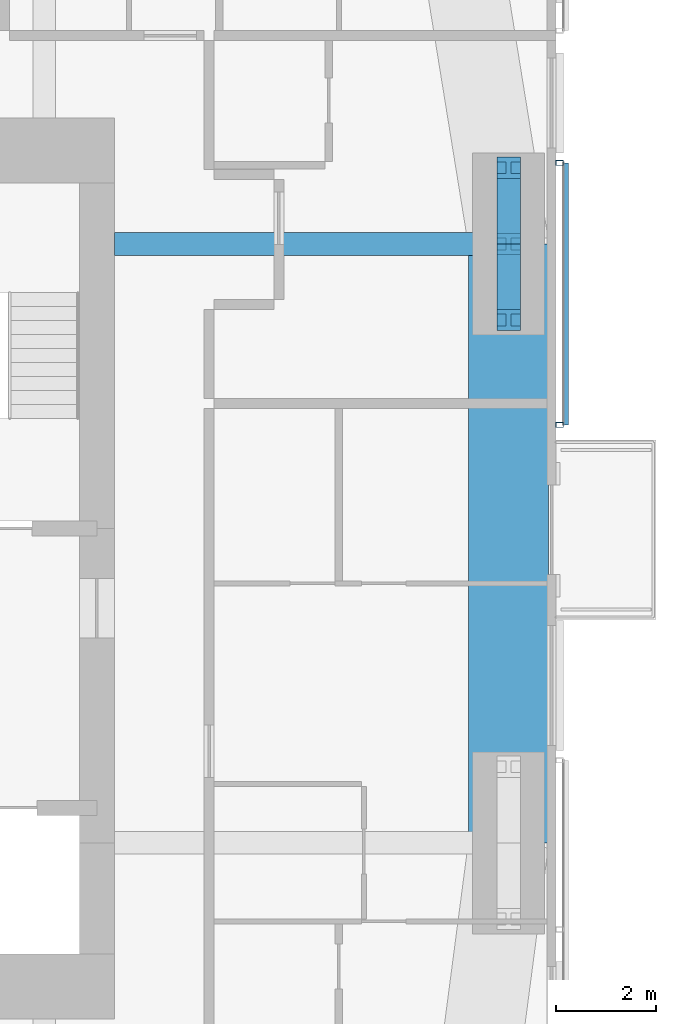
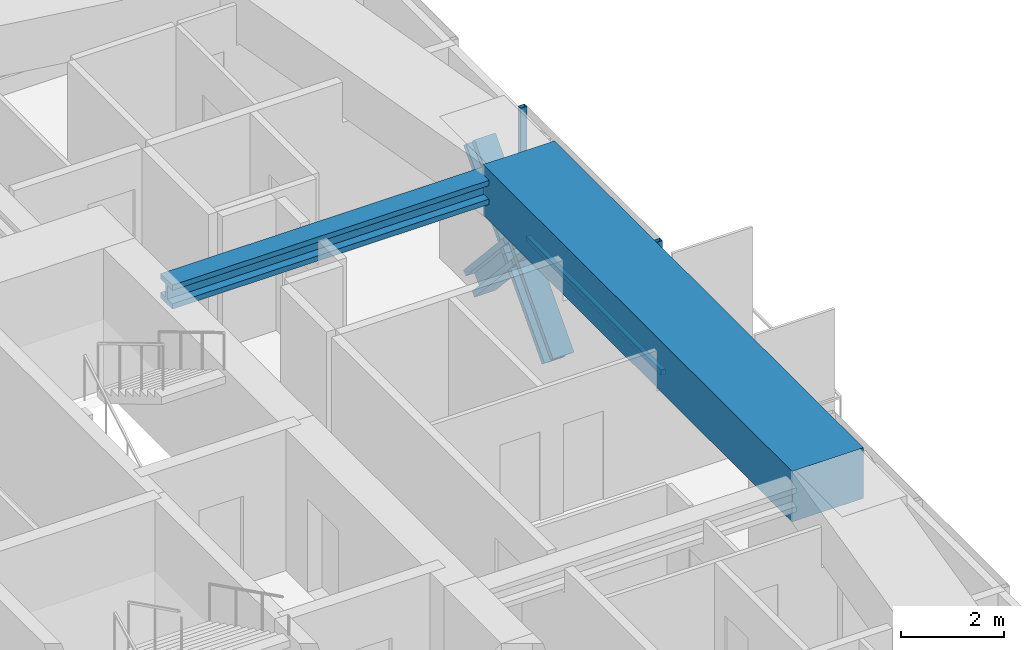
# One storey, part 9 of 23: 7 members, 2 beams, 1 element without a shape of its own.
"""IFC4 building model written with IfcOpenShell, lengths in metres."""

from ifc_helpers import new_model, si_unit, direction, frame, origin, origin_2d, place, context, subcontext, project, spatial, rectangle, hollow_rectangle, i_section, extrude, material, material_profile, profile_set, type_object, element, aggregate, save


model = new_model("IFC4")

# Units and contexts
model_context = context("Model", 3, precision=1e-05, world=origin(), true_north=direction((0.0, 1.0)))
body_context = subcontext(model_context, "Body", "Model", "MODEL_VIEW")
ifc_project = project(units=[si_unit("LENGTHUNIT", "METRE"), si_unit("AREAUNIT", "SQUARE_METRE"), si_unit("VOLUMEUNIT", "CUBIC_METRE"), si_unit("PLANEANGLEUNIT", "RADIAN"), si_unit("MASSUNIT", "GRAM", prefix="KILO")], contexts=[model_context])

# Site, building, storey
site_placement = place(None, origin())
site = spatial("IfcSite", under=ifc_project, at=site_placement, CompositionType="ELEMENT")
building_placement = place(site_placement, origin())
building = spatial("IfcBuilding", under=site, at=building_placement, Name="Jalousie Tower", CompositionType="ELEMENT")
storey_placement = place(building_placement, frame((0.0, 0.0, 191.199951171875)))
storey = spatial("IfcBuildingStorey", under=building, at=storey_placement, Name="L52", CompositionType="ELEMENT", Elevation=191.199951171875)

# Beam
ifc_material_1 = material(Name="Steel ASTM A992 Grade 50", Category="steel")
ifc_material_profile_1 = material_profile(ifc_material_1, i_section(OverallWidth=0.45458984375, OverallDepth=0.569091796875, WebThickness=0.077880859375, FlangeThickness=0.124755859375, at=origin_2d()), Name="W14X730")
ifc_profile_set_1 = profile_set([ifc_material_profile_1], Name="Steel ASTM A992 Grade 50")
beam_type_1 = type_object("IfcBeamType", Name="LEAN COLLECTOR W14X730", PredefinedType="BEAM", material=ifc_profile_set_1)
beam_1_placement = place(storey_placement, frame((52.050048828125, 25.0, 2.825439453125), z_axis=(-1.0, 0.0, 0.0), x_axis=(0.0, -1.0, 0.0)))
element("IfcBeam", 1, at=beam_1_placement, inside=storey, type_object=beam_type_1, Name="Lean collector under L53", PredefinedType="BEAM", context=body_context, shape_type="SweptSolid", body=[
    extrude(i_section(OverallWidth=0.45458984375, OverallDepth=0.569091796875, WebThickness=0.077880859375, FlangeThickness=0.124755859375, at=origin_2d()), origin(), (0.0, 0.0, 1.0), 7.900146484375),
])

# Members
ifc_material_2 = material(Name="Steel ASTM A992 Grade 50", Category="steel")
ifc_material_profile_2 = material_profile(ifc_material_2, i_section(OverallWidth=0.472412109375, OverallDepth=0.5791015625, WebThickness=0.094970703125, FlangeThickness=0.1298828125, at=origin_2d()), Name="W14X808")
ifc_profile_set_2 = profile_set([ifc_material_profile_2], Name="Steel ASTM A992 Grade 50")
member_type_1 = type_object("IfcMemberType", Name="PERIMETER BRACE W14X808", PredefinedType="BRACE", material=ifc_profile_set_2)
for number, where, z_axis, x_axis, name in (
    (2, (52.050048828125, 23.47509765625, -0.599853515625), (0.0, 0.673241284601, 0.739422864611), (-1.0, 0.0, 0.0), "Perimeter brace 07 L52 part 1"),
    (3, (52.050048828125, 25.0, 1.074951171875), (0.0, 0.673187629365, 0.739471713908), (-1.0, 0.0, 0.0), "Perimeter brace 07 L52 part 2"),
    (4, (52.050048828125, 26.52490234375, -0.599853515625), (0.0, -0.673241284601, 0.739422864611), (1.0, 0.0, 0.0), "Perimeter brace 07 L52 part 3"),
    (5, (52.050048828125, 25.0, 1.074951171875), (0.0, -0.673187629365, 0.739471713908), (1.0, 0.0, 0.0), "Perimeter brace 07 L52 part 4"),
):
    element("IfcMember", number, at=place(storey_placement, frame(where, z_axis=z_axis, x_axis=x_axis)), inside=storey, type_object=member_type_1, Name=name, PredefinedType="BRACE", context=body_context, shape_type="SweptSolid", body=[
        extrude(i_section(OverallWidth=0.472412109375, OverallDepth=0.5791015625, WebThickness=0.094970703125, FlangeThickness=0.1298828125, at=origin_2d()), origin(), (0.0, 0.0, 1.0), 2.26513671875),
    ])

# Beam
ifc_material_3 = material(Name="Concrete f'c 40 MPa", Category="concrete")
ifc_material_profile_3 = material_profile(ifc_material_3, rectangle(XDim=1.60009765625, YDim=1.199951171875, at=origin_2d()), Name="RC 1600x1200")
ifc_profile_set_3 = profile_set([ifc_material_profile_3], Name="Concrete f'c 40 MPa")
beam_type_2 = type_object("IfcBeamType", Name="RC BEAM 1600x1200", PredefinedType="BEAM", material=ifc_profile_set_3)
beam_2_placement = place(storey_placement, frame((52.050048828125, 13.0, 2.75), z_axis=(0.0, 1.0, 0.0), x_axis=(-1.0, 0.0, 0.0)))
element("IfcBeam", 6, at=beam_2_placement, inside=storey, type_object=beam_type_2, Name="Edge band beam 06-07 under L53", PredefinedType="BEAM", context=body_context, shape_type="SweptSolid", body=[
    extrude(rectangle(XDim=1.60009765625, YDim=1.199951171875, at=origin_2d()), origin(), (0.0, 0.0, 1.0), 12.0),
])

# Curtain wall, members
ifc_material_4 = material(Name="Perforated aluminium sheet", Category="aluminium")
curtain_wall_type = type_object("IfcCurtainWallType", Name="SOLAR SCREEN SS-1", PredefinedType="USERDEFINED", material=ifc_material_4)
curtain_wall_placement = place(storey_placement, origin())
curtain_wall = element("IfcCurtainWall", 7, at=curtain_wall_placement, inside=storey, type_object=curtain_wall_type, Name="Solar screen L52", ObjectType="SOLAR SCREEN SS-1", PredefinedType="USERDEFINED")
ifc_material_5 = material(Name="Steel ASTM A500 Grade C", Category="steel")
ifc_material_profile_4 = material_profile(ifc_material_5, hollow_rectangle(XDim=0.1015625, YDim=0.15234375, WallThickness=0.00634765625, at=origin_2d()), Name="HSS6X4X1/4")
ifc_profile_set_4 = profile_set([ifc_material_profile_4], Name="Steel ASTM A500 Grade C")
member_type_2 = type_object("IfcMemberType", Name="SOLAR SCREEN SS-1 MULLION", PredefinedType="MULLION", material=ifc_profile_set_4)
member_1_placement = place(storey_placement, frame((53.0712890625, 21.375, -0.119873046875), z_axis=(0.0, 0.0, 1.0), x_axis=(0.0, 1.0, 0.0)))
member_1 = element("IfcMember", 8, at=member_1_placement, type_object=member_type_2, Name="SS1 post 1", PredefinedType="MULLION", context=body_context, shape_type="SweptSolid", body=[
    extrude(hollow_rectangle(XDim=0.1015625, YDim=0.15234375, WallThickness=0.00634765625, at=origin_2d()), origin(), (0.0, 0.0, 1.0), 3.22998046875),
])
member_2_placement = place(storey_placement, frame((53.0712890625, 26.625, -0.119873046875), z_axis=(0.0, 0.0, 1.0), x_axis=(0.0, 1.0, 0.0)))
member_2 = element("IfcMember", 9, at=member_2_placement, type_object=member_type_2, Name="SS1 post 2", PredefinedType="MULLION", context=body_context, shape_type="SweptSolid", body=[
    extrude(hollow_rectangle(XDim=0.1015625, YDim=0.15234375, WallThickness=0.00634765625, at=origin_2d()), origin(), (0.0, 0.0, 1.0), 3.22998046875),
])
ifc_material_6 = material(Name="Extruded aluminium screen rail", Category="aluminium")
ifc_material_profile_5 = material_profile(ifc_material_6, rectangle(XDim=0.1015625, YDim=0.1201171875, at=origin_2d()), Name="RAIL 102x120")
ifc_profile_set_5 = profile_set([ifc_material_profile_5], Name="Extruded aluminium screen rail")
member_type_3 = type_object("IfcMemberType", Name="SOLAR SCREEN SS-1 TRANSOM", PredefinedType="USERDEFINED", material=ifc_profile_set_5)
member_3_placement = place(storey_placement, frame((53.1982421875, 21.375, -0.06005859375), z_axis=(0.0, 1.0, 0.0), x_axis=(-1.0, 0.0, 0.0)))
member_3 = element("IfcMember", 10, at=member_3_placement, type_object=member_type_3, Name="SS1 rail", ObjectType="TRANSOM", PredefinedType="USERDEFINED", context=body_context, shape_type="SweptSolid", body=[
    extrude(rectangle(XDim=0.1015625, YDim=0.1201171875, at=origin_2d()), origin(), (0.0, 0.0, 1.0), 5.25),
])
aggregate(curtain_wall, [member_1, member_2, member_3])

save(model, "model.ifc")
